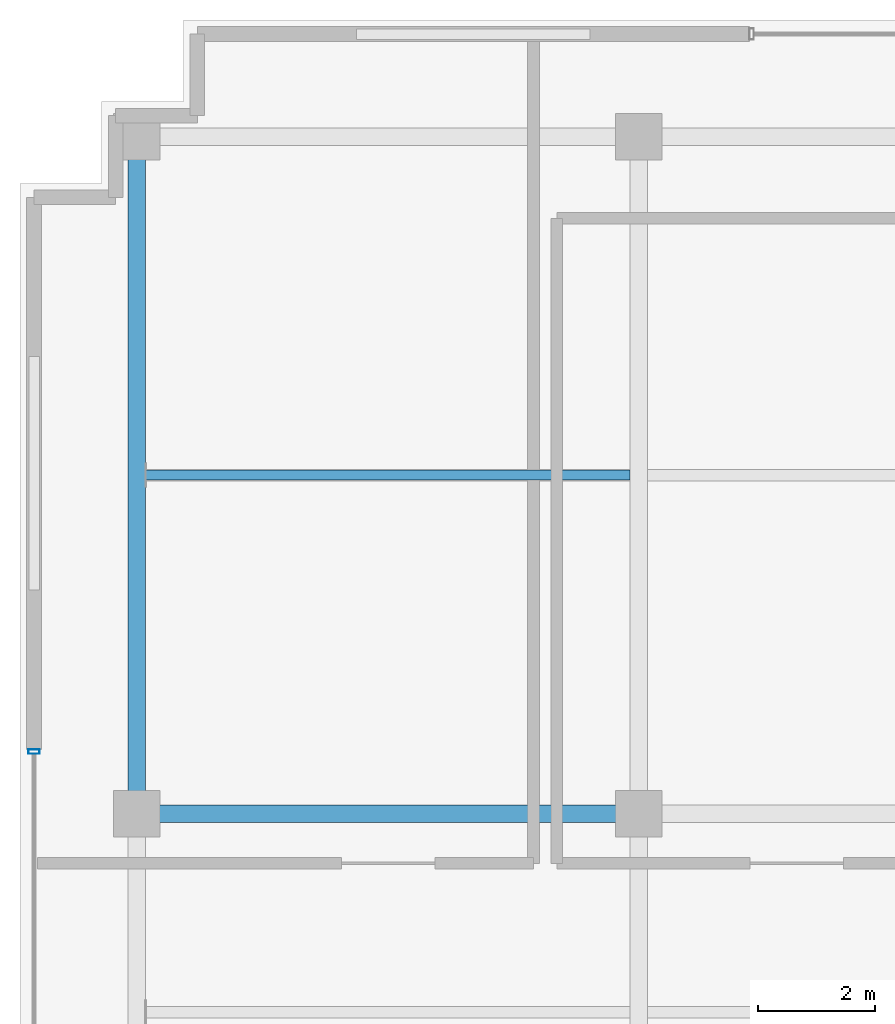
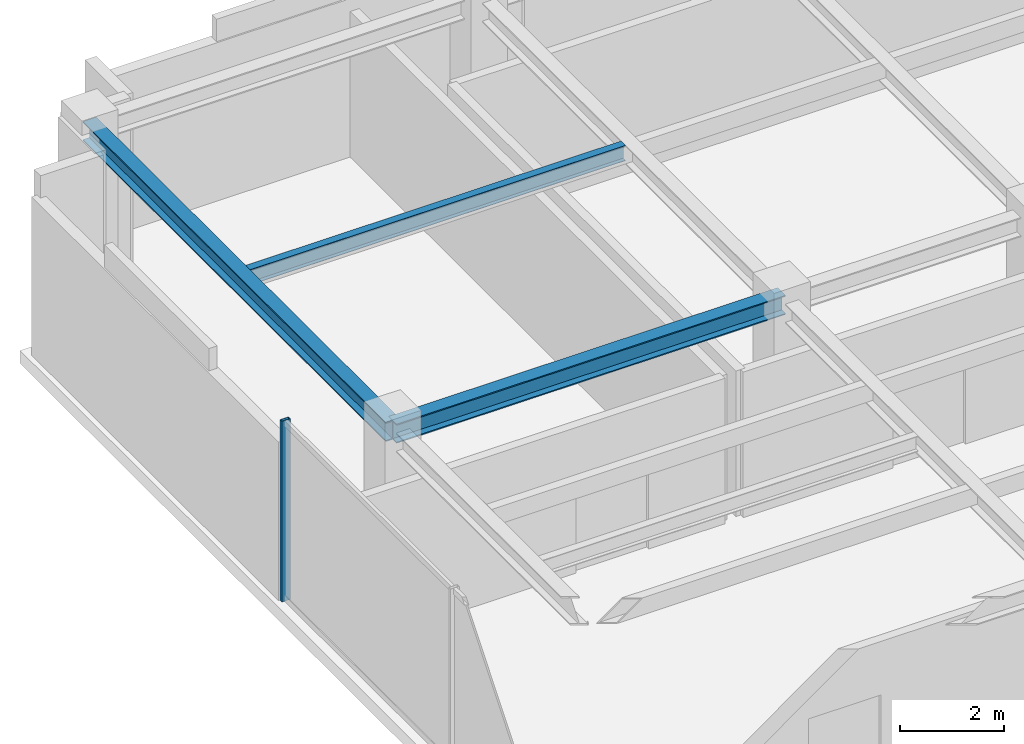
# One storey, part 10 of 21: 3 beams, 1 member, 1 element without a shape of its own.
"""IFC4 building model written with IfcOpenShell, lengths in metres."""

from ifc_helpers import new_model, si_unit, direction, frame, origin, origin_2d, place, context, subcontext, project, spatial, hollow_rectangle, i_section, extrude, source, transform, mapped, material, material_profile, profile_set, type_object, element, aggregate, save


model = new_model("IFC4")

# Units and contexts
model_context = context("Model", 3, precision=1e-05, world=origin(), true_north=direction((0.0, 1.0)))
body_context = subcontext(model_context, "Body", "Model", "MODEL_VIEW")
ifc_project = project(units=[si_unit("LENGTHUNIT", "METRE"), si_unit("AREAUNIT", "SQUARE_METRE"), si_unit("VOLUMEUNIT", "CUBIC_METRE"), si_unit("PLANEANGLEUNIT", "RADIAN"), si_unit("MASSUNIT", "GRAM", prefix="KILO")], contexts=[model_context])

# Site, building, storey
site_placement = place(None, origin())
site = spatial("IfcSite", under=ifc_project, at=site_placement, CompositionType="ELEMENT")
building_placement = place(site_placement, origin())
building = spatial("IfcBuilding", under=site, at=building_placement, Name="Nahalor Promenade Grand Hotel", CompositionType="ELEMENT")
storey_placement = place(building_placement, frame((0.0, 0.0, 370.85009765625)))
storey = spatial("IfcBuildingStorey", under=building, at=storey_placement, Name="L94", CompositionType="ELEMENT", Elevation=370.85009765625)

# Beams
ifc_material_1 = material(Name="Steel S355JR", Category="steel")
ifc_material_profile_1 = material_profile(ifc_material_1, i_section(OverallWidth=0.3, OverallDepth=0.45, WebThickness=0.014, FlangeThickness=0.026, at=origin_2d()), Name="HEB 450")
ifc_profile_set_1 = profile_set([ifc_material_profile_1], Name="Steel S355JR")
beam_type_1 = type_object("IfcBeamType", Name="Beam-Girder-HEB450", PredefinedType="BEAM", material=ifc_profile_set_1)
shared_shape_1 = source(origin(), body_context, "Body", "SweptSolid", [
    extrude(i_section(OverallWidth=0.3, OverallDepth=0.45, WebThickness=0.014, FlangeThickness=0.026, at=origin_2d()), origin(), (0.0, 0.0, 1.0), 8.60009765625),
])
beam_1_placement = place(storey_placement, frame((-17.0, 5.39990234375, 3.994873046875), z_axis=(1.0, 0.0, 0.0), x_axis=(0.0, 1.0, 0.0)))
element("IfcBeam", 1, at=beam_1_placement, inside=storey, type_object=beam_type_1, Name="BM-L94-GX-2-0", PredefinedType="BEAM", context=body_context, shape_type="MappedRepresentation", body=[
    mapped(shared_shape_1, transform((0.0, 0.0, 0.0), scale=1.0)),
])
shared_shape_2 = source(origin(), body_context, "Body", "SweptSolid", [
    extrude(i_section(OverallWidth=0.3, OverallDepth=0.45, WebThickness=0.014, FlangeThickness=0.026, at=origin_2d()), origin(), (0.0, 0.0, 1.0), 11.60009765625),
])
beam_2_placement = place(storey_placement, frame((-17.0, 5.39990234375, 3.994873046875), z_axis=(0.0, 1.0, 0.0), x_axis=(-1.0, 0.0, 0.0)))
element("IfcBeam", 2, at=beam_2_placement, inside=storey, type_object=beam_type_1, Name="BM-L94-GY-0-2", PredefinedType="BEAM", context=body_context, shape_type="MappedRepresentation", body=[
    mapped(shared_shape_2, transform((0.0, 0.0, 0.0), scale=1.0)),
])
ifc_material_profile_2 = material_profile(ifc_material_1, i_section(OverallWidth=0.17, OverallDepth=0.36, WebThickness=0.008, FlangeThickness=0.0127, at=origin_2d()), Name="IPE 360")
ifc_profile_set_2 = profile_set([ifc_material_profile_2], Name="Steel S355JR")
beam_type_2 = type_object("IfcBeamType", Name="Beam-Joist-IPE360", PredefinedType="JOIST", material=ifc_profile_set_2)
shared_shape_3 = source(origin(), body_context, "Body", "SweptSolid", [
    extrude(i_section(OverallWidth=0.17, OverallDepth=0.36, WebThickness=0.008, FlangeThickness=0.0127, at=origin_2d()), origin(), (0.0, 0.0, 1.0), 8.300048828125),
])
beam_3_placement = place(storey_placement, frame((-16.85009765625, 11.199951171875, 4.039794921875), z_axis=(1.0, 0.0, 0.0), x_axis=(0.0, 1.0, 0.0)))
element("IfcBeam", 3, at=beam_3_placement, inside=storey, type_object=beam_type_2, Name="BM-L94-JSW-1-1", PredefinedType="JOIST", context=body_context, shape_type="MappedRepresentation", body=[
    mapped(shared_shape_3, transform((0.0, 0.0, 0.0), scale=1.0)),
])

# Curtain wall, member
ifc_material_2 = material(Name="Anodised Bronze Aluminium EN AW-6063 T6", Category="aluminium")
curtain_wall_type = type_object("IfcCurtainWallType", Name="CW6 Crown Botanical Conservatory Curtain Wall", PredefinedType="USERDEFINED", material=ifc_material_2)
curtain_wall_placement = place(storey_placement, origin())
curtain_wall = element("IfcCurtainWall", 4, at=curtain_wall_placement, inside=storey, type_object=curtain_wall_type, Name="L94 Curtain Wall CW-L94-W", ObjectType="UNITISED_CURTAIN_WALL", PredefinedType="USERDEFINED")
ifc_material_profile_3 = material_profile(ifc_material_2, hollow_rectangle(XDim=0.075, YDim=0.19, WallThickness=0.005, at=origin_2d()), Name="CWM 75x190x5")
ifc_profile_set_3 = profile_set([ifc_material_profile_3], Name="Anodised Bronze Aluminium EN AW-6063 T6")
member_type = type_object("IfcMemberType", Name="CWM6 Conservatory Bronze Mullion 75x190", PredefinedType="MULLION", material=ifc_profile_set_3)
shared_shape_4 = source(origin(), body_context, "Body", "SweptSolid", [
    extrude(hollow_rectangle(XDim=0.075, YDim=0.19, WallThickness=0.005, at=origin_2d()), origin(), (0.0, 0.0, 1.0), 4.219970703125),
])
member_placement = place(storey_placement, frame((-18.760009765625, 6.46240234375, 0.0), z_axis=(0.0, 0.0, 1.0), x_axis=(0.0, 1.0, 0.0)))
member = element("IfcMember", 5, at=member_placement, type_object=member_type, Name="CW-L94-W Mullion 2", PredefinedType="MULLION", context=body_context, shape_type="MappedRepresentation", body=[
    mapped(shared_shape_4, transform((0.0, 0.0, 0.0), scale=1.0)),
])
aggregate(curtain_wall, [member])

save(model, "model.ifc")
